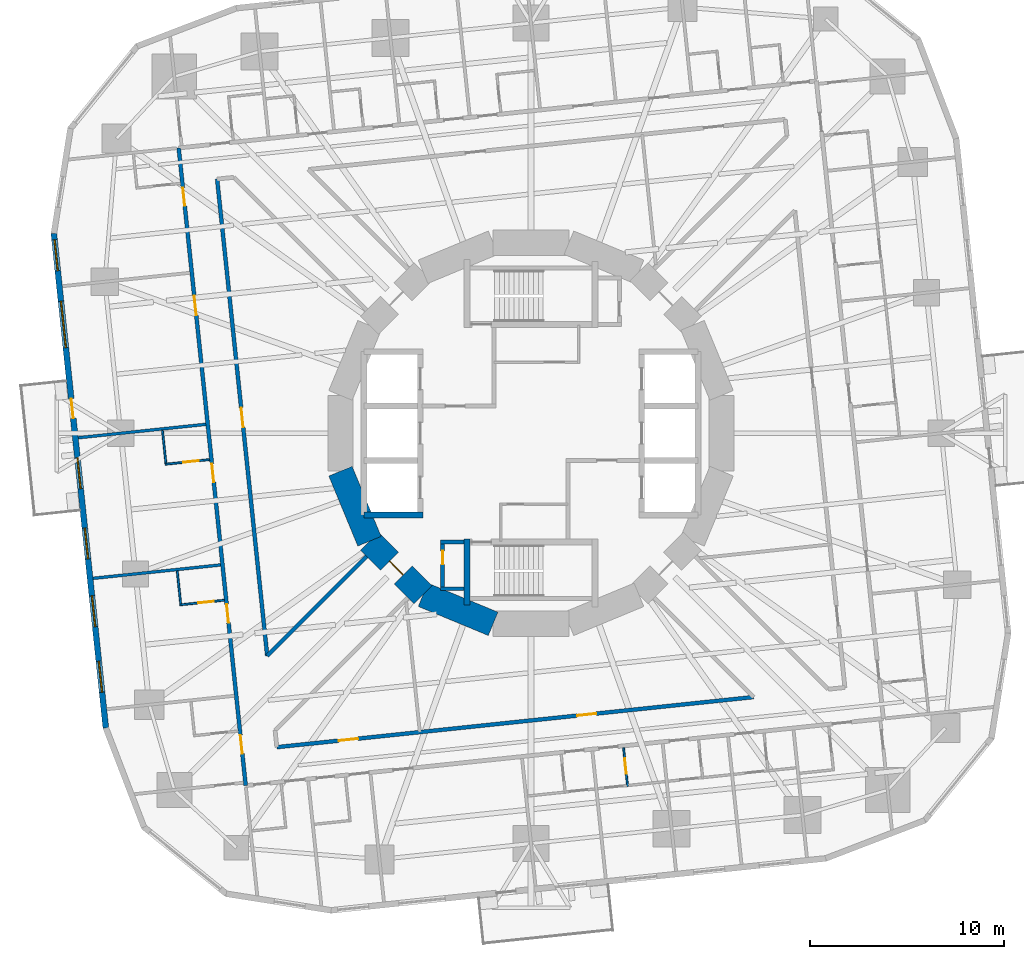
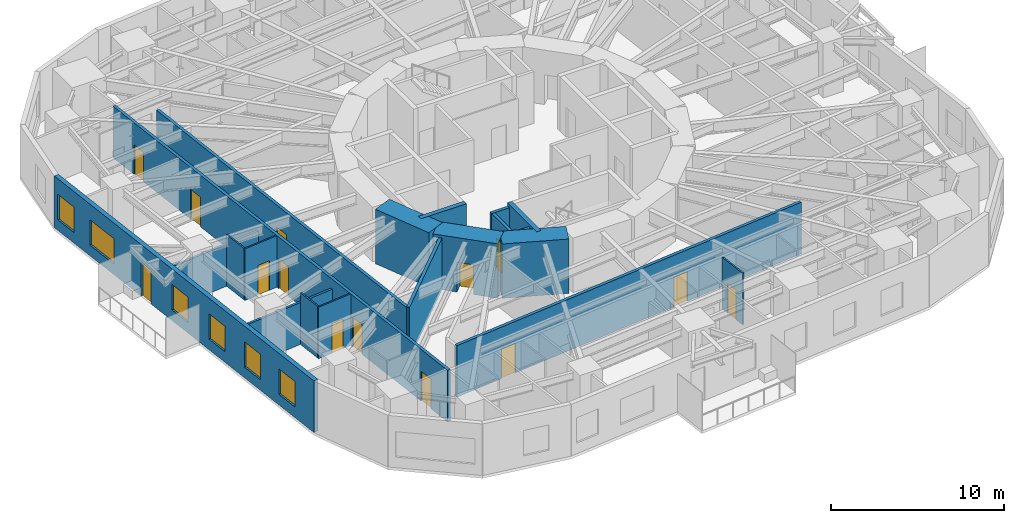
# One storey, part 6 of 13: 20 walls, 14 doors, 6 windows, 20 openings.
"""IFC4 building model written with IfcOpenShell, lengths in metres."""

from ifc_helpers import new_model, si_unit, direction, frame, frame_2d, origin, place, context, subcontext, project, spatial, rectangle, extrude, material, layer, layer_set, type_object, element, fill, save


model = new_model("IFC4")

# Units and contexts
model_context = context("Model", 3, precision=1e-05, world=origin(), true_north=direction((0.0, 1.0)))
body_context = subcontext(model_context, "Body", "Model", "MODEL_VIEW")
ifc_project = project(units=[si_unit("LENGTHUNIT", "METRE"), si_unit("AREAUNIT", "SQUARE_METRE"), si_unit("VOLUMEUNIT", "CUBIC_METRE"), si_unit("PLANEANGLEUNIT", "RADIAN"), si_unit("MASSUNIT", "GRAM", prefix="KILO")], contexts=[model_context])

# Site, building, storey
site_placement = place(None, origin())
site = spatial("IfcSite", under=ifc_project, at=site_placement, CompositionType="ELEMENT")
building_placement = place(site_placement, origin())
building = spatial("IfcBuilding", under=site, at=building_placement, Name="Nakasero Lantern House", CompositionType="ELEMENT")
storey_placement = place(building_placement, frame((0.0, 0.0, 79.75)))
storey = spatial("IfcBuildingStorey", under=building, at=storey_placement, Name="L19", CompositionType="ELEMENT", Elevation=79.75)

# Walls
ifc_material_1 = material(Name="Concrete C50/60", Category="concrete")
ifc_layer_1 = layer(ifc_material_1, 0.300048828125)
ifc_layer_set_1 = layer_set([ifc_layer_1], Name="Core inner wall 300")
wall_type_1 = type_object("IfcWallType", Name="Core inner wall 300", PredefinedType="SHEAR", material=ifc_layer_set_1)
wall_1_placement = place(storey_placement, frame((-8.60009765625, -4.199951171875, 0.0), z_axis=(0.0, 0.0, 1.0), x_axis=(1.0, 0.0, 0.0)))
element("IfcWall", 1, at=wall_1_placement, inside=storey, type_object=wall_type_1, Name="Core inner wall L19 LWS", PredefinedType="SHEAR", context=body_context, shape_type="SweptSolid", body=[
    extrude(rectangle(XDim=3.050048828125, YDim=0.300048828125, at=frame_2d((1.52490234375, 0.0))), origin(), (0.0, 0.0, 1.0), 3.85009765625),
])
wall_2_placement = place(storey_placement, frame((-3.300048828125, -5.449951171875, 0.0), z_axis=(0.0, 0.0, 1.0), x_axis=(0.0, -1.0, 0.0)))
element("IfcWall", 2, at=wall_2_placement, inside=storey, type_object=wall_type_1, Name="Core inner wall L19 SSW", PredefinedType="SHEAR", context=body_context, shape_type="SweptSolid", body=[
    extrude(rectangle(XDim=3.400146484375, YDim=0.300048828125, at=frame_2d((1.7001953125, 0.0))), origin(), (0.0, 0.0, 1.0), 3.85009765625),
])
ifc_material_2 = material(Name="Concrete C50/60", Category="concrete")
ifc_layer_2 = layer(ifc_material_2, 1.300048828125)
ifc_layer_set_2 = layer_set([ifc_layer_2], Name="Core wall 1300")
wall_type_2 = type_object("IfcWallType", Name="Core wall 1300", PredefinedType="SHEAR", material=ifc_layer_set_2)
wall_3_placement = place(storey_placement, frame((-9.807861328125, -1.950927734375, 0.0), z_axis=(0.0, 0.0, 1.0), x_axis=(0.382690736062, -0.923876507187, 0.0)))
element("IfcWall", 3, at=wall_3_placement, inside=storey, type_object=wall_type_2, Name="Core wall L19 facet 9", PredefinedType="SHEAR", context=body_context, shape_type="SweptSolid", body=[
    extrude(rectangle(XDim=3.90185546875, YDim=1.300048828125, at=frame_2d((1.950927734375, 0.0))), origin(), (0.0, 0.0, 1.0), 3.85009765625),
])

# Wall, opening, door
wall_4_placement = place(storey_placement, frame((-8.314697265625, -5.5556640625, 0.0), z_axis=(0.0, 0.0, 1.0), x_axis=(0.707106781187, -0.707106781187, 0.0)))
wall_4 = element("IfcWall", 4, at=wall_4_placement, inside=storey, type_object=wall_type_2, Name="Core wall L19 facet 10", PredefinedType="SHEAR", context=body_context, shape_type="SweptSolid", body=[
    extrude(rectangle(XDim=3.90185546875, YDim=1.300048828125, at=frame_2d((1.950927734375, 0.0))), origin(), (0.0, 0.0, 1.0), 3.85009765625),
])
opening_1_placement = place(wall_4_placement, frame((1.450927734375, 0.0, 0.0)))
opening_1 = element("IfcOpeningElement", 5, at=opening_1_placement, cuts=wall_4, Name="Opening D05", PredefinedType="OPENING", context=body_context, shape_type="SweptSolid", body=[
    extrude(rectangle(XDim=1.0, YDim=2.10009765625, at=frame_2d((0.5, 1.050048828125))), frame((0.0, 0.669921875, 0.0), z_axis=(0.0, -1.0, 0.0), x_axis=(1.0, 0.0, 0.0)), (0.0, 0.0, 1.0), 1.340087890625),
])
ifc_material_3 = material(Name="Timber C24", Category="wood")
door_type_1 = type_object("IfcDoorType", Name="Core door FD60S 1000", OperationType="SINGLE_SWING_LEFT", PredefinedType="DOOR", material=ifc_material_3)
door_1_placement = place(opening_1_placement, origin())
door_1 = element("IfcDoor", 6, at=door_1_placement, inside=storey, type_object=door_type_1, Name="Door L19 D-CORE10", OperationType="SINGLE_SWING_LEFT", OverallHeight=2.10009765625, OverallWidth=1.0, PredefinedType="DOOR", context=body_context, shape_type="SweptSolid", body=[
    extrude(rectangle(XDim=1.0, YDim=2.10009765625, at=frame_2d((0.5, 1.050048828125))), frame((0.0, 0.02490234375, 0.0), z_axis=(0.0, -1.0, 0.0), x_axis=(1.0, 0.0, 0.0)), (0.0, 0.0, 1.0), 0.050048828125),
])
fill(opening_1, door_1)

# Wall
wall_5_placement = place(storey_placement, frame((-5.5556640625, -8.314697265625, 0.0), z_axis=(0.0, 0.0, 1.0), x_axis=(0.923876507187, -0.382690736062, 0.0)))
element("IfcWall", 7, at=wall_5_placement, inside=storey, type_object=wall_type_2, Name="Core wall L19 facet 11", PredefinedType="SHEAR", context=body_context, shape_type="SweptSolid", body=[
    extrude(rectangle(XDim=3.90185546875, YDim=1.300048828125, at=frame_2d((1.950927734375, 0.0))), origin(), (0.0, 0.0, 1.0), 3.85009765625),
])

# Wall, openings, doors
ifc_material_4 = material(Name="Blockwork", Category="masonry")
ifc_layer_3 = layer(ifc_material_4, 0.199951171875)
ifc_layer_set_3 = layer_set([ifc_layer_3], Name="Corridor wall 200")
wall_type_3 = type_object("IfcWallType", Name="Corridor wall 200", PredefinedType="PARTITIONING", material=ifc_layer_set_3)
wall_6_placement = place(storey_placement, frame((-18.13427734375, 14.684814453125, 0.0), z_axis=(0.0, 0.0, 1.0), x_axis=(0.10452958258, -0.994521777723, 0.0)))
wall_6 = element("IfcWall", 8, at=wall_6_placement, inside=storey, type_object=wall_type_3, Name="Corridor wall L19 CW2", PredefinedType="PARTITIONING", context=body_context, shape_type="SweptSolid", body=[
    extrude(rectangle(XDim=32.999755859375, YDim=0.199951171875, at=frame_2d((16.5, 0.0))), origin(), (0.0, 0.0, 1.0), 3.64990234375),
])
opening_2_placement = place(wall_6_placement, frame((2.050048828125, 0.0, 0.0)))
opening_2 = element("IfcOpeningElement", 9, at=opening_2_placement, cuts=wall_6, Name="Opening D01", PredefinedType="OPENING", context=body_context, shape_type="SweptSolid", body=[
    extrude(rectangle(XDim=0.949951171875, YDim=2.10009765625, at=frame_2d((0.47509765625, 1.050048828125))), frame((0.0, 0.119873046875, 0.0), z_axis=(0.0, -1.0, 0.0), x_axis=(1.0, 0.0, 0.0)), (0.0, 0.0, 1.0), 0.239990234375),
])
opening_3_placement = place(wall_6_placement, frame((16.3427734375, 0.0, 0.0)))
opening_3 = element("IfcOpeningElement", 10, at=opening_3_placement, cuts=wall_6, Name="Opening D01", PredefinedType="OPENING", context=body_context, shape_type="SweptSolid", body=[
    extrude(rectangle(XDim=0.949951171875, YDim=2.10009765625, at=frame_2d((0.47509765625, 1.050048828125))), frame((0.0, 0.119873046875, 0.0), z_axis=(0.0, -1.0, 0.0), x_axis=(1.0, 0.0, 0.0)), (0.0, 0.0, 1.0), 0.239990234375),
])
opening_4_placement = place(wall_6_placement, frame((23.6201171875, 0.0, 0.0)))
opening_4 = element("IfcOpeningElement", 11, at=opening_4_placement, cuts=wall_6, Name="Opening D01", PredefinedType="OPENING", context=body_context, shape_type="SweptSolid", body=[
    extrude(rectangle(XDim=0.949951171875, YDim=2.10009765625, at=frame_2d((0.47509765625, 1.050048828125))), frame((0.0, 0.119873046875, 0.0), z_axis=(0.0, -1.0, 0.0), x_axis=(1.0, 0.0, 0.0)), (0.0, 0.0, 1.0), 0.239990234375),
])
opening_5_placement = place(wall_6_placement, frame((30.39111328125, 0.0, 0.0)))
opening_5 = element("IfcOpeningElement", 12, at=opening_5_placement, cuts=wall_6, Name="Opening D01", PredefinedType="OPENING", context=body_context, shape_type="SweptSolid", body=[
    extrude(rectangle(XDim=0.949951171875, YDim=2.10009765625, at=frame_2d((0.47509765625, 1.050048828125))), frame((0.0, 0.119873046875, 0.0), z_axis=(0.0, -1.0, 0.0), x_axis=(1.0, 0.0, 0.0)), (0.0, 0.0, 1.0), 0.239990234375),
])
opening_6_placement = place(wall_6_placement, frame((7.650634765625, 0.0, 0.0)))
opening_6 = element("IfcOpeningElement", 13, at=opening_6_placement, cuts=wall_6, Name="Opening D03", PredefinedType="OPENING", context=body_context, shape_type="SweptSolid", body=[
    extrude(rectangle(XDim=1.0, YDim=2.10009765625, at=frame_2d((0.5, 1.050048828125))), frame((0.0, 0.119873046875, 0.0), z_axis=(0.0, -1.0, 0.0), x_axis=(1.0, 0.0, 0.0)), (0.0, 0.0, 1.0), 0.239990234375),
])
ifc_material_5 = material(Name="Timber C24", Category="wood")
door_type_2 = type_object("IfcDoorType", Name="Bedroom door FD30S 950", OperationType="SINGLE_SWING_LEFT", PredefinedType="DOOR", material=ifc_material_5)
door_2_placement = place(opening_2_placement, origin())
door_2 = element("IfcDoor", 14, at=door_2_placement, inside=storey, type_object=door_type_2, Name="Door L19 D2-00", OperationType="SINGLE_SWING_LEFT", OverallHeight=2.10009765625, OverallWidth=0.949951171875, PredefinedType="DOOR", context=body_context, shape_type="SweptSolid", body=[
    extrude(rectangle(XDim=0.949951171875, YDim=2.10009765625, at=frame_2d((0.47509765625, 1.050048828125))), frame((0.0, 0.02490234375, 0.0), z_axis=(0.0, -1.0, 0.0), x_axis=(1.0, 0.0, 0.0)), (0.0, 0.0, 1.0), 0.050048828125),
])
fill(opening_2, door_2)
door_3_placement = place(opening_3_placement, origin())
door_3 = element("IfcDoor", 15, at=door_3_placement, inside=storey, type_object=door_type_2, Name="Door L19 D2-04", OperationType="SINGLE_SWING_RIGHT", OverallHeight=2.10009765625, OverallWidth=0.949951171875, PredefinedType="DOOR", context=body_context, shape_type="SweptSolid", body=[
    extrude(rectangle(XDim=0.949951171875, YDim=2.10009765625, at=frame_2d((0.47509765625, 1.050048828125))), frame((0.0, 0.02490234375, 0.0), z_axis=(0.0, -1.0, 0.0), x_axis=(1.0, 0.0, 0.0)), (0.0, 0.0, 1.0), 0.050048828125),
])
fill(opening_3, door_3)
door_4_placement = place(opening_4_placement, origin())
door_4 = element("IfcDoor", 16, at=door_4_placement, inside=storey, type_object=door_type_2, Name="Door L19 D2-06", OperationType="SINGLE_SWING_RIGHT", OverallHeight=2.10009765625, OverallWidth=0.949951171875, PredefinedType="DOOR", context=body_context, shape_type="SweptSolid", body=[
    extrude(rectangle(XDim=0.949951171875, YDim=2.10009765625, at=frame_2d((0.47509765625, 1.050048828125))), frame((0.0, 0.02490234375, 0.0), z_axis=(0.0, -1.0, 0.0), x_axis=(1.0, 0.0, 0.0)), (0.0, 0.0, 1.0), 0.050048828125),
])
fill(opening_4, door_4)
door_5_placement = place(opening_5_placement, origin())
door_5 = element("IfcDoor", 17, at=door_5_placement, inside=storey, type_object=door_type_2, Name="Door L19 D2-08", OperationType="SINGLE_SWING_RIGHT", OverallHeight=2.10009765625, OverallWidth=0.949951171875, PredefinedType="DOOR", context=body_context, shape_type="SweptSolid", body=[
    extrude(rectangle(XDim=0.949951171875, YDim=2.10009765625, at=frame_2d((0.47509765625, 1.050048828125))), frame((0.0, 0.02490234375, 0.0), z_axis=(0.0, -1.0, 0.0), x_axis=(1.0, 0.0, 0.0)), (0.0, 0.0, 1.0), 0.050048828125),
])
fill(opening_5, door_5)
ifc_material_6 = material(Name="Timber C24", Category="wood")
door_type_3 = type_object("IfcDoorType", Name="Lounge door FD30S 1000", OperationType="SINGLE_SWING_LEFT", PredefinedType="DOOR", material=ifc_material_6)
door_6_placement = place(opening_6_placement, origin())
door_6 = element("IfcDoor", 18, at=door_6_placement, inside=storey, type_object=door_type_3, Name="Door L19 DK2", OperationType="SINGLE_SWING_LEFT", OverallHeight=2.10009765625, OverallWidth=1.0, PredefinedType="DOOR", context=body_context, shape_type="SweptSolid", body=[
    extrude(rectangle(XDim=1.0, YDim=2.10009765625, at=frame_2d((0.5, 1.050048828125))), frame((0.0, 0.02490234375, 0.0), z_axis=(0.0, -1.0, 0.0), x_axis=(1.0, 0.0, 0.0)), (0.0, 0.0, 1.0), 0.050048828125),
])
fill(opening_6, door_6)

# Wall, opening, door
wall_7_placement = place(storey_placement, frame((-16.156005859375, 13.0830078125, 0.0), z_axis=(0.0, 0.0, 1.0), x_axis=(0.104528202096, -0.994521922819, 0.0)))
wall_7 = element("IfcWall", 19, at=wall_7_placement, inside=storey, type_object=wall_type_3, Name="Corridor wall L19 IW2-0", PredefinedType="PARTITIONING", context=body_context, shape_type="SweptSolid", body=[
    extrude(rectangle(XDim=24.673828125, YDim=0.199951171875, at=frame_2d((12.3369140625, 0.0))), origin(), (0.0, 0.0, 1.0), 3.64990234375),
])
opening_7_placement = place(wall_7_placement, frame((11.8369140625, 0.0, 0.0)))
opening_7 = element("IfcOpeningElement", 20, at=opening_7_placement, cuts=wall_7, Name="Opening D07", PredefinedType="OPENING", context=body_context, shape_type="SweptSolid", body=[
    extrude(rectangle(XDim=1.0, YDim=2.10009765625, at=frame_2d((0.5, 1.050048828125))), frame((0.0, 0.119873046875, 0.0), z_axis=(0.0, -1.0, 0.0), x_axis=(1.0, 0.0, 0.0)), (0.0, 0.0, 1.0), 0.239990234375),
])
ifc_material_7 = material(Name="Timber C24", Category="wood")
door_type_4 = type_object("IfcDoorType", Name="Room door FD30S 1000", OperationType="SINGLE_SWING_LEFT", PredefinedType="DOOR", material=ifc_material_7)
door_7_placement = place(opening_7_placement, origin())
door_7 = element("IfcDoor", 21, at=door_7_placement, inside=storey, type_object=door_type_4, Name="Door L19 DI4", OperationType="SINGLE_SWING_RIGHT", OverallHeight=2.10009765625, OverallWidth=1.0, PredefinedType="DOOR", context=body_context, shape_type="SweptSolid", body=[
    extrude(rectangle(XDim=1.0, YDim=2.10009765625, at=frame_2d((0.5, 1.050048828125))), frame((0.0, 0.02490234375, 0.0), z_axis=(0.0, -1.0, 0.0), x_axis=(1.0, 0.0, 0.0)), (0.0, 0.0, 1.0), 0.050048828125),
])
fill(opening_7, door_7)

# Wall, openings, doors
wall_8_placement = place(storey_placement, frame((-13.0830078125, -16.156005859375, 0.0), z_axis=(0.0, 0.0, 1.0), x_axis=(0.994521922819, 0.104528202096, 0.0)))
wall_8 = element("IfcWall", 22, at=wall_8_placement, inside=storey, type_object=wall_type_3, Name="Corridor wall L19 IW3-0", PredefinedType="PARTITIONING", context=body_context, shape_type="SweptSolid", body=[
    extrude(rectangle(XDim=24.673828125, YDim=0.199951171875, at=frame_2d((12.3369140625, 0.0))), origin(), (0.0, 0.0, 1.0), 3.64990234375),
])
opening_8_placement = place(wall_8_placement, frame((3.201171875, 0.0, 0.0)))
opening_8 = element("IfcOpeningElement", 23, at=opening_8_placement, cuts=wall_8, Name="Opening D07", PredefinedType="OPENING", context=body_context, shape_type="SweptSolid", body=[
    extrude(rectangle(XDim=1.0, YDim=2.10009765625, at=frame_2d((0.5, 1.050048828125))), frame((0.0, 0.119873046875, 0.0), z_axis=(0.0, -1.0, 0.0), x_axis=(1.0, 0.0, 0.0)), (0.0, 0.0, 1.0), 0.239990234375),
])
opening_9_placement = place(wall_8_placement, frame((15.537841796875, 0.0, 0.0)))
opening_9 = element("IfcOpeningElement", 24, at=opening_9_placement, cuts=wall_8, Name="Opening D07", PredefinedType="OPENING", context=body_context, shape_type="SweptSolid", body=[
    extrude(rectangle(XDim=1.0, YDim=2.10009765625, at=frame_2d((0.5, 1.050048828125))), frame((0.0, 0.119873046875, 0.0), z_axis=(0.0, -1.0, 0.0), x_axis=(1.0, 0.0, 0.0)), (0.0, 0.0, 1.0), 0.239990234375),
])
door_8_placement = place(opening_8_placement, origin())
door_8 = element("IfcDoor", 25, at=door_8_placement, inside=storey, type_object=door_type_4, Name="Door L19 DI2", OperationType="SINGLE_SWING_LEFT", OverallHeight=2.10009765625, OverallWidth=1.0, PredefinedType="DOOR", context=body_context, shape_type="SweptSolid", body=[
    extrude(rectangle(XDim=1.0, YDim=2.10009765625, at=frame_2d((0.5, 1.050048828125))), frame((0.0, 0.02490234375, 0.0), z_axis=(0.0, -1.0, 0.0), x_axis=(1.0, 0.0, 0.0)), (0.0, 0.0, 1.0), 0.050048828125),
])
fill(opening_8, door_8)
door_9_placement = place(opening_9_placement, origin())
door_9 = element("IfcDoor", 26, at=door_9_placement, inside=storey, type_object=door_type_4, Name="Door L19 DI2S", OperationType="SINGLE_SWING_RIGHT", OverallHeight=2.10009765625, OverallWidth=1.0, PredefinedType="DOOR", context=body_context, shape_type="SweptSolid", body=[
    extrude(rectangle(XDim=1.0, YDim=2.10009765625, at=frame_2d((0.5, 1.050048828125))), frame((0.0, 0.02490234375, 0.0), z_axis=(0.0, -1.0, 0.0), x_axis=(1.0, 0.0, 0.0)), (0.0, 0.0, 1.0), 0.050048828125),
])
fill(opening_9, door_9)

# Wall
wall_9_placement = place(storey_placement, frame((-8.45556640625, -6.334228515625, 0.0), z_axis=(0.0, 0.0, 1.0), x_axis=(-0.707106781187, -0.707106781187, 0.0)))
element("IfcWall", 27, at=wall_9_placement, inside=storey, type_object=wall_type_3, Name="Corridor wall L19 PS10b", PredefinedType="PARTITIONING", context=body_context, shape_type="SweptSolid", body=[
    extrude(rectangle(XDim=7.24267578125, YDim=0.199951171875, at=frame_2d((3.621337890625, 0.0))), origin(), (0.0, 0.0, 1.0), 3.64990234375),
])

# Wall, opening, door
ifc_material_8 = material(Name="Blockwork", Category="masonry")
ifc_layer_4 = layer(ifc_material_8, 0.10009765625)
ifc_layer_set_4 = layer_set([ifc_layer_4], Name="En-suite wall 100")
wall_type_4 = type_object("IfcWallType", Name="En-suite wall 100", PredefinedType="PARTITIONING", material=ifc_layer_set_4)
wall_10_placement = place(storey_placement, frame((-16.549072265625, -1.35498046875, 0.0), z_axis=(0.0, 0.0, 1.0), x_axis=(-0.994518822602, -0.104557694553, 0.0)))
wall_10 = element("IfcWall", 28, at=wall_10_placement, inside=storey, type_object=wall_type_4, Name="En-suite wall L19 ES2-04", PredefinedType="PARTITIONING", context=body_context, shape_type="SweptSolid", body=[
    extrude(rectangle(XDim=2.300048828125, YDim=0.10009765625, at=frame_2d((1.14990234375, 0.0))), origin(), (0.0, 0.0, 1.0), 3.64990234375),
])
opening_10_placement = place(wall_10_placement, frame((0.550048828125, 0.0, 0.0)))
opening_10 = element("IfcOpeningElement", 29, at=opening_10_placement, cuts=wall_10, Name="Opening D02", PredefinedType="OPENING", context=body_context, shape_type="SweptSolid", body=[
    extrude(rectangle(XDim=0.800048828125, YDim=2.10009765625, at=frame_2d((0.39990234375, 1.050048828125))), frame((0.0, 0.070068359375, 0.0), z_axis=(0.0, -1.0, 0.0), x_axis=(1.0, 0.0, 0.0)), (0.0, 0.0, 1.0), 0.14013671875),
])
ifc_material_9 = material(Name="Timber C24", Category="wood")
door_type_5 = type_object("IfcDoorType", Name="En-suite door 800", OperationType="SINGLE_SWING_RIGHT", PredefinedType="DOOR", material=ifc_material_9)
door_10_placement = place(opening_10_placement, origin())
door_10 = element("IfcDoor", 30, at=door_10_placement, inside=storey, type_object=door_type_5, Name="Door L19 DE2-04", OperationType="SINGLE_SWING_LEFT", OverallHeight=2.10009765625, OverallWidth=0.800048828125, PredefinedType="DOOR", context=body_context, shape_type="SweptSolid", body=[
    extrude(rectangle(XDim=0.800048828125, YDim=2.10009765625, at=frame_2d((0.39990234375, 1.050048828125))), frame((0.0, 0.02490234375, 0.0), z_axis=(0.0, -1.0, 0.0), x_axis=(1.0, 0.0, 0.0)), (0.0, 0.0, 1.0), 0.050048828125),
])
fill(opening_10, door_10)

# Wall
wall_11_placement = place(storey_placement, frame((-18.9697265625, 0.150146484375, 0.0), z_axis=(0.0, 0.0, 1.0), x_axis=(0.104550220202, -0.994519608382, 0.0)))
element("IfcWall", 31, at=wall_11_placement, inside=storey, type_object=wall_type_4, Name="En-suite wall L19 EE2-04", PredefinedType="PARTITIONING", context=body_context, shape_type="SweptSolid", body=[
    extrude(rectangle(XDim=1.699951171875, YDim=0.10009765625, at=frame_2d((0.85009765625, 0.0))), origin(), (0.0, 0.0, 1.0), 3.64990234375),
])

# Wall, opening, door
wall_12_placement = place(storey_placement, frame((-15.788330078125, -8.592529296875, 0.0), z_axis=(0.0, 0.0, 1.0), x_axis=(-0.994529855142, -0.104452703326, 0.0)))
wall_12 = element("IfcWall", 32, at=wall_12_placement, inside=storey, type_object=wall_type_4, Name="En-suite wall L19 ES2-06", PredefinedType="PARTITIONING", context=body_context, shape_type="SweptSolid", body=[
    extrude(rectangle(XDim=2.300048828125, YDim=0.10009765625, at=frame_2d((1.14990234375, 0.0))), origin(), (0.0, 0.0, 1.0), 3.64990234375),
])
opening_11_placement = place(wall_12_placement, frame((0.550048828125, 0.0, 0.0)))
opening_11 = element("IfcOpeningElement", 33, at=opening_11_placement, cuts=wall_12, Name="Opening D02", PredefinedType="OPENING", context=body_context, shape_type="SweptSolid", body=[
    extrude(rectangle(XDim=0.800048828125, YDim=2.10009765625, at=frame_2d((0.39990234375, 1.050048828125))), frame((0.0, 0.070068359375, 0.0), z_axis=(0.0, -1.0, 0.0), x_axis=(1.0, 0.0, 0.0)), (0.0, 0.0, 1.0), 0.14013671875),
])
door_11_placement = place(opening_11_placement, origin())
door_11 = element("IfcDoor", 34, at=door_11_placement, inside=storey, type_object=door_type_5, Name="Door L19 DE2-06", OperationType="SINGLE_SWING_LEFT", OverallHeight=2.10009765625, OverallWidth=0.800048828125, PredefinedType="DOOR", context=body_context, shape_type="SweptSolid", body=[
    extrude(rectangle(XDim=0.800048828125, YDim=2.10009765625, at=frame_2d((0.39990234375, 1.050048828125))), frame((0.0, 0.02490234375, 0.0), z_axis=(0.0, -1.0, 0.0), x_axis=(1.0, 0.0, 0.0)), (0.0, 0.0, 1.0), 0.050048828125),
])
fill(opening_11, door_11)

# Wall
wall_13_placement = place(storey_placement, frame((-18.208984375, -7.087158203125, 0.0), z_axis=(0.0, 0.0, 1.0), x_axis=(0.104550220202, -0.994519608382, 0.0)))
element("IfcWall", 35, at=wall_13_placement, inside=storey, type_object=wall_type_4, Name="En-suite wall L19 EE2-06", PredefinedType="PARTITIONING", context=body_context, shape_type="SweptSolid", body=[
    extrude(rectangle(XDim=1.699951171875, YDim=0.10009765625, at=frame_2d((0.85009765625, 0.0))), origin(), (0.0, 0.0, 1.0), 3.64990234375),
])

# Wall, opening, door
wall_14_placement = place(storey_placement, frame((4.763427734375, -16.190673828125, 0.0), z_axis=(0.0, 0.0, 1.0), x_axis=(0.104602187203, -0.994514143908, 0.0)))
wall_14 = element("IfcWall", 36, at=wall_14_placement, inside=storey, type_object=wall_type_4, Name="En-suite wall L19 ES3-05", PredefinedType="PARTITIONING", context=body_context, shape_type="SweptSolid", body=[
    extrude(rectangle(XDim=2.000244140625, YDim=0.10009765625, at=frame_2d((1.0, 0.0))), origin(), (0.0, 0.0, 1.0), 3.64990234375),
])
opening_12_placement = place(wall_14_placement, frame((0.550048828125, 0.0, 0.0)))
opening_12 = element("IfcOpeningElement", 37, at=opening_12_placement, cuts=wall_14, Name="Opening D02", PredefinedType="OPENING", context=body_context, shape_type="SweptSolid", body=[
    extrude(rectangle(XDim=0.800048828125, YDim=2.10009765625, at=frame_2d((0.39990234375, 1.050048828125))), frame((0.0, 0.070068359375, 0.0), z_axis=(0.0, -1.0, 0.0), x_axis=(1.0, 0.0, 0.0)), (0.0, 0.0, 1.0), 0.14013671875),
])
door_12_placement = place(opening_12_placement, origin())
door_12 = element("IfcDoor", 38, at=door_12_placement, inside=storey, type_object=door_type_5, Name="Door L19 DE3-05", OperationType="SINGLE_SWING_LEFT", OverallHeight=2.10009765625, OverallWidth=0.800048828125, PredefinedType="DOOR", context=body_context, shape_type="SweptSolid", body=[
    extrude(rectangle(XDim=0.800048828125, YDim=2.10009765625, at=frame_2d((0.39990234375, 1.050048828125))), frame((0.0, 0.02490234375, 0.0), z_axis=(0.0, -1.0, 0.0), x_axis=(1.0, 0.0, 0.0)), (0.0, 0.0, 1.0), 0.050048828125),
])
fill(opening_12, door_12)

# Wall, openings, door, windows
ifc_material_10 = material(Name="Aluminium rainscreen on blockwork", Category="masonry")
ifc_layer_5 = layer(ifc_material_10, 0.300048828125)
ifc_layer_set_5 = layer_set([ifc_layer_5], Name="Facade wall 300")
wall_type_5 = type_object("IfcWallType", Name="Facade wall 300", PredefinedType="SOLIDWALL", material=ifc_layer_set_5)
wall_15_placement = place(storey_placement, frame((-24.56005859375, 10.2890625, 0.0), z_axis=(0.0, 0.0, 1.0), x_axis=(0.104532378096, -0.994521483895, 0.0)))
wall_15 = element("IfcWall", 39, at=wall_15_placement, inside=storey, type_object=wall_type_5, Name="Facade wall L19 FW2S", PredefinedType="SOLIDWALL", context=body_context, shape_type="SweptSolid", body=[
    extrude(rectangle(XDim=25.599853515625, YDim=0.300048828125, at=frame_2d((12.7998046875, 0.0))), origin(), (0.0, 0.0, 1.0), 3.64990234375),
])
opening_13_placement = place(wall_15_placement, frame((0.337890625, 0.0, 0.75)))
opening_13 = element("IfcOpeningElement", 40, at=opening_13_placement, cuts=wall_15, Name="Opening W01", PredefinedType="OPENING", context=body_context, shape_type="SweptSolid", body=[
    extrude(rectangle(XDim=1.60009765625, YDim=1.800048828125, at=frame_2d((0.800048828125, 0.89990234375))), frame((0.0, 0.169921875, 0.0), z_axis=(0.0, -1.0, 0.0), x_axis=(1.0, 0.0, 0.0)), (0.0, 0.0, 1.0), 0.340087890625),
])
opening_14_placement = place(wall_15_placement, frame((11.612060546875, 0.0, 0.75)))
opening_14 = element("IfcOpeningElement", 41, at=opening_14_placement, cuts=wall_15, Name="Opening W01", PredefinedType="OPENING", context=body_context, shape_type="SweptSolid", body=[
    extrude(rectangle(XDim=1.60009765625, YDim=1.800048828125, at=frame_2d((0.800048828125, 0.89990234375))), frame((0.0, 0.169921875, 0.0), z_axis=(0.0, -1.0, 0.0), x_axis=(1.0, 0.0, 0.0)), (0.0, 0.0, 1.0), 0.340087890625),
])
opening_15_placement = place(wall_15_placement, frame((15.250732421875, 0.0, 0.75)))
opening_15 = element("IfcOpeningElement", 42, at=opening_15_placement, cuts=wall_15, Name="Opening W01", PredefinedType="OPENING", context=body_context, shape_type="SweptSolid", body=[
    extrude(rectangle(XDim=1.60009765625, YDim=1.800048828125, at=frame_2d((0.800048828125, 0.89990234375))), frame((0.0, 0.169921875, 0.0), z_axis=(0.0, -1.0, 0.0), x_axis=(1.0, 0.0, 0.0)), (0.0, 0.0, 1.0), 0.340087890625),
])
opening_16_placement = place(wall_15_placement, frame((18.7626953125, 0.0, 0.75)))
opening_16 = element("IfcOpeningElement", 43, at=opening_16_placement, cuts=wall_15, Name="Opening W01", PredefinedType="OPENING", context=body_context, shape_type="SweptSolid", body=[
    extrude(rectangle(XDim=1.60009765625, YDim=1.800048828125, at=frame_2d((0.800048828125, 0.89990234375))), frame((0.0, 0.169921875, 0.0), z_axis=(0.0, -1.0, 0.0), x_axis=(1.0, 0.0, 0.0)), (0.0, 0.0, 1.0), 0.340087890625),
])
opening_17_placement = place(wall_15_placement, frame((22.1484375, 0.0, 0.75)))
opening_17 = element("IfcOpeningElement", 44, at=opening_17_placement, cuts=wall_15, Name="Opening W01", PredefinedType="OPENING", context=body_context, shape_type="SweptSolid", body=[
    extrude(rectangle(XDim=1.60009765625, YDim=1.800048828125, at=frame_2d((0.800048828125, 0.89990234375))), frame((0.0, 0.169921875, 0.0), z_axis=(0.0, -1.0, 0.0), x_axis=(1.0, 0.0, 0.0)), (0.0, 0.0, 1.0), 0.340087890625),
])
opening_18_placement = place(wall_15_placement, frame((3.51123046875, 0.0, 0.75)))
opening_18 = element("IfcOpeningElement", 45, at=opening_18_placement, cuts=wall_15, Name="Opening W03", PredefinedType="OPENING", context=body_context, shape_type="SweptSolid", body=[
    extrude(rectangle(XDim=2.39990234375, YDim=1.800048828125, at=frame_2d((1.199951171875, 0.89990234375))), frame((0.0, 0.169921875, 0.0), z_axis=(0.0, -1.0, 0.0), x_axis=(1.0, 0.0, 0.0)), (0.0, 0.0, 1.0), 0.340087890625),
])
opening_19_placement = place(wall_15_placement, frame((8.558837890625, 0.0, 0.0)))
opening_19 = element("IfcOpeningElement", 46, at=opening_19_placement, cuts=wall_15, Name="Opening D04", PredefinedType="OPENING", context=body_context, shape_type="SweptSolid", body=[
    extrude(rectangle(XDim=1.0, YDim=2.39990234375, at=frame_2d((0.5, 1.199951171875))), frame((0.0, 0.169921875, 0.0), z_axis=(0.0, -1.0, 0.0), x_axis=(1.0, 0.0, 0.0)), (0.0, 0.0, 1.0), 0.340087890625),
])
ifc_material_11 = material(Name="Aluminium 6063-T6 and glass", Category="aluminium")
door_type_6 = type_object("IfcDoorType", Name="Balcony door 1000x2400", OperationType="SINGLE_SWING_RIGHT", PredefinedType="DOOR", material=ifc_material_11)
door_13_placement = place(opening_19_placement, origin())
door_13 = element("IfcDoor", 47, at=door_13_placement, inside=storey, type_object=door_type_6, Name="Balcony door L19 DB2", OperationType="SINGLE_SWING_RIGHT", OverallHeight=2.39990234375, OverallWidth=1.0, PredefinedType="DOOR", context=body_context, shape_type="SweptSolid", body=[
    extrude(rectangle(XDim=1.0, YDim=2.39990234375, at=frame_2d((0.5, 1.199951171875))), frame((0.0, 0.02490234375, 0.0), z_axis=(0.0, -1.0, 0.0), x_axis=(1.0, 0.0, 0.0)), (0.0, 0.0, 1.0), 0.050048828125),
])
fill(opening_19, door_13)
ifc_material_12 = material(Name="Aluminium 6063-T6 and glass", Category="aluminium")
window_type_1 = type_object("IfcWindowType", Name="Bedroom window 1600x1800", PartitioningType="SINGLE_PANEL", PredefinedType="WINDOW", material=ifc_material_12)
window_1_placement = place(opening_13_placement, origin())
window_1 = element("IfcWindow", 48, at=window_1_placement, inside=storey, type_object=window_type_1, Name="Window L19 WN2-01", OverallHeight=1.800048828125, OverallWidth=1.60009765625, PartitioningType="SINGLE_PANEL", PredefinedType="WINDOW", context=body_context, shape_type="SweptSolid", body=[
    extrude(rectangle(XDim=1.60009765625, YDim=1.800048828125, at=frame_2d((0.800048828125, 0.89990234375))), frame((0.0, 0.030029296875, 0.0), z_axis=(0.0, -1.0, 0.0), x_axis=(1.0, 0.0, 0.0)), (0.0, 0.0, 1.0), 0.06005859375),
])
fill(opening_13, window_1)
window_2_placement = place(opening_14_placement, origin())
window_2 = element("IfcWindow", 49, at=window_2_placement, inside=storey, type_object=window_type_1, Name="Window L19 WN2-04", OverallHeight=1.800048828125, OverallWidth=1.60009765625, PartitioningType="SINGLE_PANEL", PredefinedType="WINDOW", context=body_context, shape_type="SweptSolid", body=[
    extrude(rectangle(XDim=1.60009765625, YDim=1.800048828125, at=frame_2d((0.800048828125, 0.89990234375))), frame((0.0, 0.030029296875, 0.0), z_axis=(0.0, -1.0, 0.0), x_axis=(1.0, 0.0, 0.0)), (0.0, 0.0, 1.0), 0.06005859375),
])
fill(opening_14, window_2)
window_3_placement = place(opening_15_placement, origin())
window_3 = element("IfcWindow", 50, at=window_3_placement, inside=storey, type_object=window_type_1, Name="Window L19 WN2-05", OverallHeight=1.800048828125, OverallWidth=1.60009765625, PartitioningType="SINGLE_PANEL", PredefinedType="WINDOW", context=body_context, shape_type="SweptSolid", body=[
    extrude(rectangle(XDim=1.60009765625, YDim=1.800048828125, at=frame_2d((0.800048828125, 0.89990234375))), frame((0.0, 0.030029296875, 0.0), z_axis=(0.0, -1.0, 0.0), x_axis=(1.0, 0.0, 0.0)), (0.0, 0.0, 1.0), 0.06005859375),
])
fill(opening_15, window_3)
window_4_placement = place(opening_16_placement, origin())
window_4 = element("IfcWindow", 51, at=window_4_placement, inside=storey, type_object=window_type_1, Name="Window L19 WN2-06", OverallHeight=1.800048828125, OverallWidth=1.60009765625, PartitioningType="SINGLE_PANEL", PredefinedType="WINDOW", context=body_context, shape_type="SweptSolid", body=[
    extrude(rectangle(XDim=1.60009765625, YDim=1.800048828125, at=frame_2d((0.800048828125, 0.89990234375))), frame((0.0, 0.030029296875, 0.0), z_axis=(0.0, -1.0, 0.0), x_axis=(1.0, 0.0, 0.0)), (0.0, 0.0, 1.0), 0.06005859375),
])
fill(opening_16, window_4)
window_5_placement = place(opening_17_placement, origin())
window_5 = element("IfcWindow", 52, at=window_5_placement, inside=storey, type_object=window_type_1, Name="Window L19 WN2-07", OverallHeight=1.800048828125, OverallWidth=1.60009765625, PartitioningType="SINGLE_PANEL", PredefinedType="WINDOW", context=body_context, shape_type="SweptSolid", body=[
    extrude(rectangle(XDim=1.60009765625, YDim=1.800048828125, at=frame_2d((0.800048828125, 0.89990234375))), frame((0.0, 0.030029296875, 0.0), z_axis=(0.0, -1.0, 0.0), x_axis=(1.0, 0.0, 0.0)), (0.0, 0.0, 1.0), 0.06005859375),
])
fill(opening_17, window_5)
ifc_material_13 = material(Name="Aluminium 6063-T6 and glass", Category="aluminium")
window_type_2 = type_object("IfcWindowType", Name="Lounge window 2400x1800", PartitioningType="SINGLE_PANEL", PredefinedType="WINDOW", material=ifc_material_13)
window_6_placement = place(opening_18_placement, origin())
window_6 = element("IfcWindow", 53, at=window_6_placement, inside=storey, type_object=window_type_2, Name="Window L19 WK2", OverallHeight=1.800048828125, OverallWidth=2.39990234375, PartitioningType="SINGLE_PANEL", PredefinedType="WINDOW", context=body_context, shape_type="SweptSolid", body=[
    extrude(rectangle(XDim=2.39990234375, YDim=1.800048828125, at=frame_2d((1.199951171875, 0.89990234375))), frame((0.0, 0.030029296875, 0.0), z_axis=(0.0, -1.0, 0.0), x_axis=(1.0, 0.0, 0.0)), (0.0, 0.0, 1.0), 0.06005859375),
])
fill(opening_18, window_6)

# Wall, opening, door
ifc_material_14 = material(Name="Blockwork", Category="masonry")
ifc_layer_6 = layer(ifc_material_14, 0.199951171875)
ifc_layer_set_6 = layer_set([ifc_layer_6], Name="Fire lobby wall 200")
wall_type_6 = type_object("IfcWallType", Name="Fire lobby wall 200", PredefinedType="PARTITIONING", material=ifc_layer_set_6)
wall_16_placement = place(storey_placement, frame((-4.550048828125, -5.60009765625, 0.0), z_axis=(0.0, 0.0, 1.0), x_axis=(0.0, -1.0, 0.0)))
wall_16 = element("IfcWall", 54, at=wall_16_placement, inside=storey, type_object=wall_type_6, Name="Fire lobby wall L19 W-RS2W", PredefinedType="PARTITIONING", context=body_context, shape_type="SweptSolid", body=[
    extrude(rectangle(XDim=2.39990234375, YDim=0.199951171875, at=frame_2d((1.199951171875, 0.0))), origin(), (0.0, 0.0, 1.0), 3.64990234375),
])
opening_20_placement = place(wall_16_placement, frame((0.449951171875, 0.0, 0.0)))
opening_20 = element("IfcOpeningElement", 55, at=opening_20_placement, cuts=wall_16, Name="Opening D06", PredefinedType="OPENING", context=body_context, shape_type="SweptSolid", body=[
    extrude(rectangle(XDim=0.699951171875, YDim=2.10009765625, at=frame_2d((0.35009765625, 1.050048828125))), frame((0.0, 0.119873046875, 0.0), z_axis=(0.0, -1.0, 0.0), x_axis=(1.0, 0.0, 0.0)), (0.0, 0.0, 1.0), 0.239990234375),
])
ifc_material_15 = material(Name="Steel S355", Category="steel")
door_type_7 = type_object("IfcDoorType", Name="Riser door FD60 700", OperationType="SINGLE_SWING_LEFT", PredefinedType="DOOR", material=ifc_material_15)
door_14_placement = place(opening_20_placement, origin())
door_14 = element("IfcDoor", 56, at=door_14_placement, inside=storey, type_object=door_type_7, Name="Door L19 D-RS2", OperationType="SINGLE_SWING_LEFT", OverallHeight=2.10009765625, OverallWidth=0.699951171875, PredefinedType="DOOR", context=body_context, shape_type="SweptSolid", body=[
    extrude(rectangle(XDim=0.699951171875, YDim=2.10009765625, at=frame_2d((0.35009765625, 1.050048828125))), frame((0.0, 0.02490234375, 0.0), z_axis=(0.0, -1.0, 0.0), x_axis=(1.0, 0.0, 0.0)), (0.0, 0.0, 1.0), 0.050048828125),
])
fill(opening_20, door_14)

# Walls
for number, where, z_axis, x_axis, name in (
    (57, (-3.449951171875, -8.0, 0.0), (0.0, 0.0, 1.0), (-1.0, 0.0, 0.0), "Fire lobby wall L19 W-RS2S"),
    (58, (-3.449951171875, -5.60009765625, 0.0), (0.0, 0.0, 1.0), (-1.0, 0.0, 0.0), "Fire lobby wall L19 W-RS2N"),
):
    element("IfcWall", number, at=place(storey_placement, frame(where, z_axis=z_axis, x_axis=x_axis)), inside=storey, type_object=wall_type_6, Name=name, PredefinedType="PARTITIONING", context=body_context, shape_type="SweptSolid", body=[
        extrude(rectangle(XDim=1.199951171875, YDim=0.199951171875, at=frame_2d((0.60009765625, 0.0))), origin(), (0.0, 0.0, 1.0), 3.64990234375),
    ])
ifc_material_16 = material(Name="Blockwork", Category="masonry")
ifc_layer_7 = layer(ifc_material_16, 0.14990234375)
ifc_layer_set_7 = layer_set([ifc_layer_7], Name="Party wall 150")
wall_type_7 = type_object("IfcWallType", Name="Party wall 150", PredefinedType="PARTITIONING", material=ifc_layer_set_7)
for number, where, z_axis, x_axis, name in (
    (59, (-16.73974609375, 0.4599609375, 0.0), (0.0, 0.0, 1.0), (-0.994521251134, -0.104534592565, 0.0), "Party wall L19 PW2-04"),
    (60, (-15.97900390625, -6.77734375, 0.0), (0.0, 0.0, 1.0), (-0.994521251134, -0.104534592565, 0.0), "Party wall L19 PW2-06"),
):
    element("IfcWall", number, at=place(storey_placement, frame(where, z_axis=z_axis, x_axis=x_axis)), inside=storey, type_object=wall_type_7, Name=name, PredefinedType="PARTITIONING", context=body_context, shape_type="SweptSolid", body=[
        extrude(rectangle(XDim=6.60009765625, YDim=0.14990234375, at=frame_2d((3.300048828125, 0.0))), origin(), (0.0, 0.0, 1.0), 2.966552734375),
    ])

save(model, "model.ifc")
